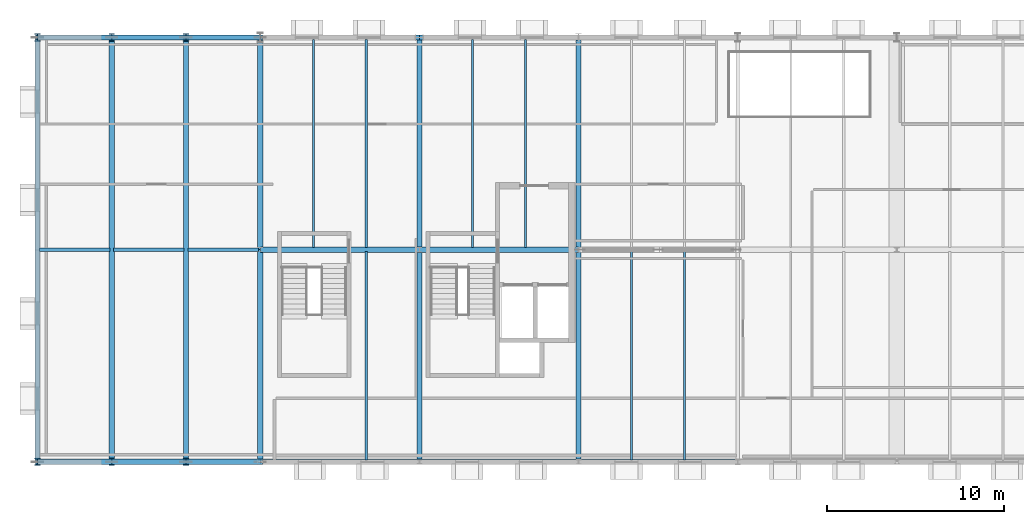
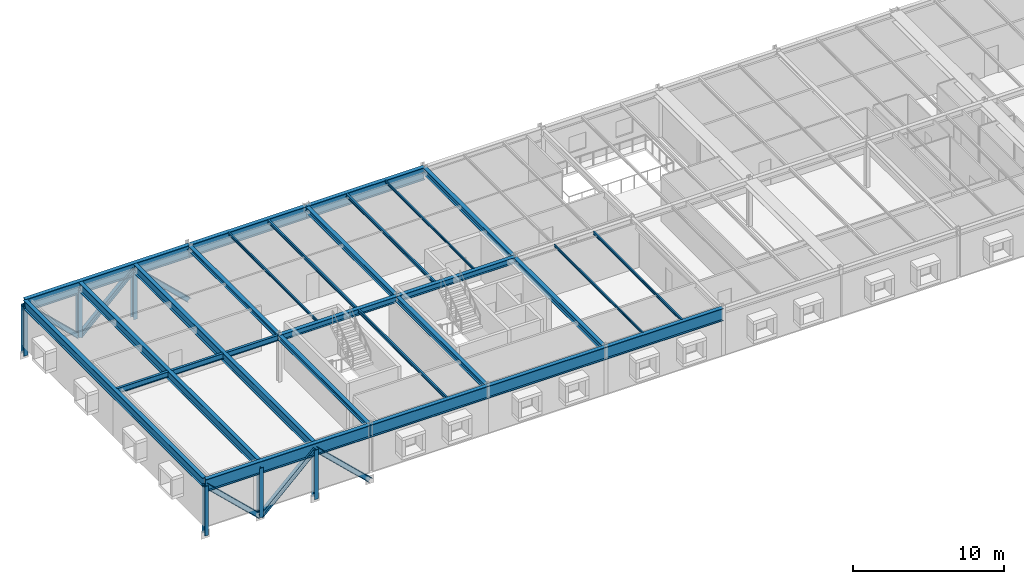
# One storey, part 4 of 17: 28 beams, 12 members.
"""IFC4 building model written with IfcOpenShell, lengths in metres."""

from ifc_helpers import new_model, si_unit, direction, frame, origin, origin_2d, place, context, subcontext, project, spatial, i_section, extrude, material, material_profile, profile_set, type_object, element, save


model = new_model("IFC4")

# Units and contexts
model_context = context("Model", 3, precision=1e-05, world=origin(), true_north=direction((0.0, 1.0)))
body_context = subcontext(model_context, "Body", "Model", "MODEL_VIEW")
ifc_project = project(units=[si_unit("LENGTHUNIT", "METRE"), si_unit("AREAUNIT", "SQUARE_METRE"), si_unit("VOLUMEUNIT", "CUBIC_METRE"), si_unit("PLANEANGLEUNIT", "RADIAN"), si_unit("MASSUNIT", "GRAM", prefix="KILO")], contexts=[model_context])

# Site, building, storey
site_placement = place(None, origin())
site = spatial("IfcSite", under=ifc_project, at=site_placement, CompositionType="ELEMENT")
building_placement = place(site_placement, origin())
building = spatial("IfcBuilding", under=site, at=building_placement, Name="Montelvaro Courts of Justice", CompositionType="ELEMENT")
storey_placement = place(building_placement, frame((0.0, 0.0, 31.39990234375)))
storey = spatial("IfcBuildingStorey", under=building, at=storey_placement, Name="L07", CompositionType="ELEMENT", Elevation=31.39990234375)

# Beams
ifc_material = material(Name="Steel S355", Category="steel")
ifc_material_profile_1 = material_profile(ifc_material, i_section(OverallWidth=0.300048828125, OverallDepth=0.389892578125, WebThickness=0.010986328125, FlangeThickness=0.01904296875, at=origin_2d()), Name="HEA 400")
ifc_profile_set_1 = profile_set([ifc_material_profile_1], Name="Steel S355")
beam_type_1 = type_object("IfcBeamType", Name="Beam_HEA400", PredefinedType="USERDEFINED", material=ifc_profile_set_1)
for number, where, z_axis, x_axis, name in (
    (1, (45.0, 0.0, 3.60498046875), (0.0, 1.0, 0.0), (-1.0, 0.0, 0.0), "Beam B-17 L07"),
    (2, (45.0, 12.0, 3.60498046875), (0.0, 1.0, 0.0), (-1.0, 0.0, 0.0), "Beam B-17 L07"),
):
    element("IfcBeam", number, at=place(storey_placement, frame(where, z_axis=z_axis, x_axis=x_axis)), inside=storey, type_object=beam_type_1, Name=name, ObjectType="GIRDER", PredefinedType="USERDEFINED", context=body_context, shape_type="SweptSolid", body=[
        extrude(i_section(OverallWidth=0.300048828125, OverallDepth=0.389892578125, WebThickness=0.010986328125, FlangeThickness=0.01904296875, at=origin_2d()), origin(), (0.0, 0.0, 1.0), 12.0),
    ])
ifc_material_profile_2 = material_profile(ifc_material, i_section(OverallWidth=0.300048828125, OverallDepth=0.43994140625, WebThickness=0.011474609375, FlangeThickness=0.02099609375, at=origin_2d()), Name="HEA 450")
ifc_profile_set_2 = profile_set([ifc_material_profile_2], Name="Steel S355")
beam_type_2 = type_object("IfcBeamType", Name="Beam_HEA450", PredefinedType="USERDEFINED", material=ifc_profile_set_2)
for number, where, z_axis, x_axis, name in (
    (3, (54.0, 0.0, 3.580078125), (0.0, 1.0, 0.0), (-1.0, 0.0, 0.0), "Beam B-18 L07"),
    (4, (54.0, 12.0, 3.580078125), (0.0, 1.0, 0.0), (-1.0, 0.0, 0.0), "Beam B-18 L07"),
):
    element("IfcBeam", number, at=place(storey_placement, frame(where, z_axis=z_axis, x_axis=x_axis)), inside=storey, type_object=beam_type_2, Name=name, ObjectType="GIRDER", PredefinedType="USERDEFINED", context=body_context, shape_type="SweptSolid", body=[
        extrude(i_section(OverallWidth=0.300048828125, OverallDepth=0.43994140625, WebThickness=0.011474609375, FlangeThickness=0.02099609375, at=origin_2d()), origin(), (0.0, 0.0, 1.0), 12.0),
    ])
ifc_material_profile_3 = material_profile(ifc_material, i_section(OverallWidth=0.300048828125, OverallDepth=0.489990234375, WebThickness=0.011962890625, FlangeThickness=0.02294921875, at=origin_2d()), Name="HEA 500")
ifc_profile_set_3 = profile_set([ifc_material_profile_3], Name="Steel S355")
beam_type_3 = type_object("IfcBeamType", Name="Beam_HEA500", PredefinedType="USERDEFINED", material=ifc_profile_set_3)
for number, where, z_axis, x_axis, name in (
    (5, (45.0, 12.0, 3.55517578125), (1.0, 0.0, 0.0), (0.0, 1.0, 0.0), "Beam B-19 L07"),
    (6, (54.0, 12.0, 3.55517578125), (1.0, 0.0, 0.0), (0.0, 1.0, 0.0), "Beam B-19 L07"),
):
    element("IfcBeam", number, at=place(storey_placement, frame(where, z_axis=z_axis, x_axis=x_axis)), inside=storey, type_object=beam_type_3, Name=name, ObjectType="GIRDER", PredefinedType="USERDEFINED", context=body_context, shape_type="SweptSolid", body=[
        extrude(i_section(OverallWidth=0.300048828125, OverallDepth=0.489990234375, WebThickness=0.011962890625, FlangeThickness=0.02294921875, at=origin_2d()), origin(), (0.0, 0.0, 1.0), 9.0),
    ])
for number, where, z_axis, x_axis, name in (
    (7, (63.0, 0.0, 3.55517578125), (0.0, 1.0, 0.0), (-1.0, 0.0, 0.0), "Beam B-19 L07"),
    (8, (63.0, 12.0, 3.55517578125), (0.0, 1.0, 0.0), (-1.0, 0.0, 0.0), "Beam B-19 L07"),
):
    element("IfcBeam", number, at=place(storey_placement, frame(where, z_axis=z_axis, x_axis=x_axis)), inside=storey, type_object=beam_type_3, Name=name, ObjectType="GIRDER", PredefinedType="USERDEFINED", context=body_context, shape_type="SweptSolid", body=[
        extrude(i_section(OverallWidth=0.300048828125, OverallDepth=0.489990234375, WebThickness=0.011962890625, FlangeThickness=0.02294921875, at=origin_2d()), origin(), (0.0, 0.0, 1.0), 12.0),
    ])
ifc_material_profile_4 = material_profile(ifc_material, i_section(OverallWidth=0.300048828125, OverallDepth=0.699951171875, WebThickness=0.01708984375, FlangeThickness=0.031982421875, at=origin_2d()), Name="HEB 700")
ifc_profile_set_4 = profile_set([ifc_material_profile_4], Name="Steel S355")
beam_type_4 = type_object("IfcBeamType", Name="Beam_HEB700", PredefinedType="USERDEFINED", material=ifc_profile_set_4)
for number, where, z_axis, x_axis, name in (
    (9, (40.800048828125, 0.110107421875, 3.4501953125), (0.0, 1.0, 0.0), (-1.0, 0.0, 0.0), "Beam B-28 L07"),
    (10, (36.60009765625, 0.110107421875, 3.4501953125), (0.0, 1.0, 0.0), (-1.0, 0.0, 0.0), "Beam B-28 L07"),
    (11, (32.39990234375, 0.110107421875, 3.4501953125), (0.0, 1.0, 0.0), (-1.0, 0.0, 0.0), "Beam B-28 L07"),
):
    element("IfcBeam", number, at=place(storey_placement, frame(where, z_axis=z_axis, x_axis=x_axis)), inside=storey, type_object=beam_type_4, Name=name, ObjectType="GIRDER", PredefinedType="USERDEFINED", context=body_context, shape_type="SweptSolid", body=[
        extrude(i_section(OverallWidth=0.300048828125, OverallDepth=0.699951171875, WebThickness=0.01708984375, FlangeThickness=0.031982421875, at=origin_2d()), origin(), (0.0, 0.0, 1.0), 23.77978515625),
    ])
ifc_material_profile_5 = material_profile(ifc_material, i_section(OverallWidth=0.302001953125, OverallDepth=1.008056640625, WebThickness=0.02099609375, FlangeThickness=0.0400390625, at=origin_2d()), Name="HEM 1000")
ifc_profile_set_5 = profile_set([ifc_material_profile_5], Name="Steel S355")
beam_type_5 = type_object("IfcBeamType", Name="Beam_HEM1000", PredefinedType="USERDEFINED", material=ifc_profile_set_5)
for number, where, z_axis, x_axis, name in (
    (12, (72.0, 0.0, 3.296142578125), (-1.0, 0.0, 0.0), (0.0, -1.0, 0.0), "Pratt Cantilever Truss Chord CTR-BAR3-S-L08-BS1"),
    (13, (63.0, 0.0, 3.296142578125), (-1.0, 0.0, 0.0), (0.0, -1.0, 0.0), "Pratt Cantilever Truss Chord CTR-BAR3-S-L08-BS2"),
    (14, (54.0, 0.0, 3.296142578125), (-1.0, 0.0, 0.0), (0.0, -1.0, 0.0), "Pratt Cantilever Truss Chord CTR-BAR3-S-L08-BS3"),
):
    element("IfcBeam", number, at=place(storey_placement, frame(where, z_axis=z_axis, x_axis=x_axis)), inside=storey, type_object=beam_type_5, Name=name, ObjectType="GIRDER", PredefinedType="USERDEFINED", context=body_context, shape_type="SweptSolid", body=[
        extrude(i_section(OverallWidth=0.302001953125, OverallDepth=1.008056640625, WebThickness=0.02099609375, FlangeThickness=0.0400390625, at=origin_2d()), origin(), (0.0, 0.0, 1.0), 9.0),
    ])
beam_1_placement = place(storey_placement, frame((45.0, 0.0, 3.296142578125), z_axis=(-1.0, 0.0, 0.0), x_axis=(0.0, -1.0, 0.0)))
element("IfcBeam", 15, at=beam_1_placement, inside=storey, type_object=beam_type_5, Name="Pratt Cantilever Truss Chord CTR-BAR3-S-L08-OVH", ObjectType="GIRDER", PredefinedType="USERDEFINED", context=body_context, shape_type="SweptSolid", body=[
    extrude(i_section(OverallWidth=0.302001953125, OverallDepth=1.008056640625, WebThickness=0.02099609375, FlangeThickness=0.0400390625, at=origin_2d()), origin(), (0.0, 0.0, 1.0), 12.60009765625),
])
for number, where, z_axis, x_axis, name in (
    (16, (63.0, 24.0, 3.296142578125), (-1.0, 0.0, 0.0), (0.0, -1.0, 0.0), "Pratt Cantilever Truss Chord CTR-BAR3-N-L08-BS2"),
    (17, (54.0, 24.0, 3.296142578125), (-1.0, 0.0, 0.0), (0.0, -1.0, 0.0), "Pratt Cantilever Truss Chord CTR-BAR3-N-L08-BS3"),
):
    element("IfcBeam", number, at=place(storey_placement, frame(where, z_axis=z_axis, x_axis=x_axis)), inside=storey, type_object=beam_type_5, Name=name, ObjectType="GIRDER", PredefinedType="USERDEFINED", context=body_context, shape_type="SweptSolid", body=[
        extrude(i_section(OverallWidth=0.302001953125, OverallDepth=1.008056640625, WebThickness=0.02099609375, FlangeThickness=0.0400390625, at=origin_2d()), origin(), (0.0, 0.0, 1.0), 9.0),
    ])
beam_2_placement = place(storey_placement, frame((45.0, 24.0, 3.296142578125), z_axis=(-1.0, 0.0, 0.0), x_axis=(0.0, -1.0, 0.0)))
element("IfcBeam", 18, at=beam_2_placement, inside=storey, type_object=beam_type_5, Name="Pratt Cantilever Truss Chord CTR-BAR3-N-L08-OVH", ObjectType="GIRDER", PredefinedType="USERDEFINED", context=body_context, shape_type="SweptSolid", body=[
    extrude(i_section(OverallWidth=0.302001953125, OverallDepth=1.008056640625, WebThickness=0.02099609375, FlangeThickness=0.0400390625, at=origin_2d()), origin(), (0.0, 0.0, 1.0), 12.60009765625),
])
ifc_material_profile_6 = material_profile(ifc_material, i_section(OverallWidth=0.10009765625, OverallDepth=0.199951171875, WebThickness=0.005615234375, FlangeThickness=0.008544921875, at=origin_2d()), Name="IPE 200")
ifc_profile_set_6 = profile_set([ifc_material_profile_6], Name="Steel S355")
beam_type_6 = type_object("IfcBeamType", Name="Beam_IPE200", PredefinedType="JOIST", material=ifc_profile_set_6)
for number, where, z_axis, x_axis, name in (
    (19, (60.0, 12.110107421875, 3.7001953125), (0.0, 1.0, 0.0), (-1.0, 0.0, 0.0), "Beam B-01 L07"),
    (20, (66.0, 0.110107421875, 3.7001953125), (0.0, 1.0, 0.0), (-1.0, 0.0, 0.0), "Beam B-01 L07"),
):
    element("IfcBeam", number, at=place(storey_placement, frame(where, z_axis=z_axis, x_axis=x_axis)), inside=storey, type_object=beam_type_6, Name=name, PredefinedType="JOIST", context=body_context, shape_type="SweptSolid", body=[
        extrude(i_section(OverallWidth=0.10009765625, OverallDepth=0.199951171875, WebThickness=0.005615234375, FlangeThickness=0.008544921875, at=origin_2d()), origin(), (0.0, 0.0, 1.0), 11.77978515625),
    ])
ifc_material_profile_7 = material_profile(ifc_material, i_section(OverallWidth=0.110107421875, OverallDepth=0.219970703125, WebThickness=0.005859375, FlangeThickness=0.00927734375, at=origin_2d()), Name="IPE 220")
ifc_profile_set_7 = profile_set([ifc_material_profile_7], Name="Steel S355")
beam_type_7 = type_object("IfcBeamType", Name="Beam_IPE220", PredefinedType="JOIST", material=ifc_profile_set_7)
for number, where, z_axis, x_axis, name in (
    (21, (48.0, 12.110107421875, 3.690185546875), (0.0, 1.0, 0.0), (-1.0, 0.0, 0.0), "Beam B-02 L07"),
    (22, (69.0, 0.110107421875, 3.690185546875), (0.0, 1.0, 0.0), (-1.0, 0.0, 0.0), "Beam B-02 L07"),
):
    element("IfcBeam", number, at=place(storey_placement, frame(where, z_axis=z_axis, x_axis=x_axis)), inside=storey, type_object=beam_type_7, Name=name, PredefinedType="JOIST", context=body_context, shape_type="SweptSolid", body=[
        extrude(i_section(OverallWidth=0.110107421875, OverallDepth=0.219970703125, WebThickness=0.005859375, FlangeThickness=0.00927734375, at=origin_2d()), origin(), (0.0, 0.0, 1.0), 11.77978515625),
    ])
ifc_material_profile_8 = material_profile(ifc_material, i_section(OverallWidth=0.135009765625, OverallDepth=0.27001953125, WebThickness=0.006591796875, FlangeThickness=0.01025390625, at=origin_2d()), Name="IPE 270")
ifc_profile_set_8 = profile_set([ifc_material_profile_8], Name="Steel S355")
beam_type_8 = type_object("IfcBeamType", Name="Beam_IPE270", PredefinedType="JOIST", material=ifc_profile_set_8)
for number, where, z_axis, x_axis, name in (
    (23, (51.0, 0.110107421875, 3.6650390625), (0.0, 1.0, 0.0), (-1.0, 0.0, 0.0), "Beam B-04 L07"),
    (24, (51.0, 12.110107421875, 3.6650390625), (0.0, 1.0, 0.0), (-1.0, 0.0, 0.0), "Beam B-04 L07"),
    (25, (57.0, 12.110107421875, 3.6650390625), (0.0, 1.0, 0.0), (-1.0, 0.0, 0.0), "Beam B-04 L07"),
):
    element("IfcBeam", number, at=place(storey_placement, frame(where, z_axis=z_axis, x_axis=x_axis)), inside=storey, type_object=beam_type_8, Name=name, PredefinedType="JOIST", context=body_context, shape_type="SweptSolid", body=[
        extrude(i_section(OverallWidth=0.135009765625, OverallDepth=0.27001953125, WebThickness=0.006591796875, FlangeThickness=0.01025390625, at=origin_2d()), origin(), (0.0, 0.0, 1.0), 11.77978515625),
    ])
ifc_material_profile_9 = material_profile(ifc_material, i_section(OverallWidth=0.18994140625, OverallDepth=0.449951171875, WebThickness=0.009521484375, FlangeThickness=0.0146484375, at=origin_2d()), Name="IPE 450")
ifc_profile_set_9 = profile_set([ifc_material_profile_9], Name="Steel S355")
beam_type_9 = type_object("IfcBeamType", Name="Beam_IPE450", PredefinedType="BEAM", material=ifc_profile_set_9)
for number, where, z_axis, x_axis, name in (
    (26, (40.909912109375, 12.0, 3.5751953125), (1.0, 0.0, 0.0), (0.0, 1.0, 0.0), "Beam B-09 L07"),
    (27, (36.7099609375, 12.0, 3.5751953125), (1.0, 0.0, 0.0), (0.0, 1.0, 0.0), "Beam B-09 L07"),
    (28, (32.510009765625, 12.0, 3.5751953125), (1.0, 0.0, 0.0), (0.0, 1.0, 0.0), "Beam B-09 L07"),
):
    element("IfcBeam", number, at=place(storey_placement, frame(where, z_axis=z_axis, x_axis=x_axis)), inside=storey, type_object=beam_type_9, Name=name, PredefinedType="BEAM", context=body_context, shape_type="SweptSolid", body=[
        extrude(i_section(OverallWidth=0.18994140625, OverallDepth=0.449951171875, WebThickness=0.009521484375, FlangeThickness=0.0146484375, at=origin_2d()), origin(), (0.0, 0.0, 1.0), 3.97998046875),
    ])

# Members
ifc_material_profile_10 = material_profile(ifc_material, i_section(OverallWidth=0.300048828125, OverallDepth=0.360107421875, WebThickness=0.012451171875, FlangeThickness=0.0224609375, at=origin_2d()), Name="HEB 360")
ifc_profile_set_10 = profile_set([ifc_material_profile_10], Name="Steel S355")
member_type_1 = type_object("IfcMemberType", Name="Mem_HEB360_Brace", PredefinedType="BRACE", material=ifc_profile_set_10)
for number, where, z_axis, x_axis, name in (
    (29, (45.0, 0.0, -0.703857421875), (-0.724133926887, 0.0, 0.689659376744), (0.0, -1.0, 0.0), "Pratt Cantilever Truss Diagonal MB-01 CTR-BAR3-S-L07-D4"),
    (30, (40.800048828125, 0.0, 3.296142578125), (-0.724133926887, 0.0, -0.689659376744), (0.0, -1.0, 0.0), "Pratt Cantilever Truss Diagonal MB-01 CTR-BAR3-S-L07-D5"),
    (31, (36.60009765625, 0.0, -0.703857421875), (-0.72415394689, 0.0, 0.689638355374), (0.0, -1.0, 0.0), "Pratt Cantilever Truss Diagonal MB-01 CTR-BAR3-S-L07-D6"),
    (32, (45.0, 24.0, -0.703857421875), (-0.724133926887, 0.0, 0.689659376744), (0.0, -1.0, 0.0), "Pratt Cantilever Truss Diagonal MB-01 CTR-BAR3-N-L07-D4"),
    (33, (40.800048828125, 24.0, 3.296142578125), (-0.724133926887, 0.0, -0.689659376744), (0.0, -1.0, 0.0), "Pratt Cantilever Truss Diagonal MB-01 CTR-BAR3-N-L07-D5"),
    (34, (36.60009765625, 24.0, -0.703857421875), (-0.72415394689, 0.0, 0.689638355374), (0.0, -1.0, 0.0), "Pratt Cantilever Truss Diagonal MB-01 CTR-BAR3-N-L07-D6"),
):
    element("IfcMember", number, at=place(storey_placement, frame(where, z_axis=z_axis, x_axis=x_axis)), inside=storey, type_object=member_type_1, Name=name, PredefinedType="BRACE", context=body_context, shape_type="SweptSolid", body=[
        extrude(i_section(OverallWidth=0.300048828125, OverallDepth=0.360107421875, WebThickness=0.012451171875, FlangeThickness=0.0224609375, at=origin_2d()), origin(), (0.0, 0.0, 1.0), 5.800048828125),
    ])
ifc_material_profile_11 = material_profile(ifc_material, i_section(OverallWidth=0.300048828125, OverallDepth=0.39990234375, WebThickness=0.013427734375, FlangeThickness=0.02392578125, at=origin_2d()), Name="HEB 400")
ifc_profile_set_11 = profile_set([ifc_material_profile_11], Name="Steel S355")
member_type_2 = type_object("IfcMemberType", Name="Mem_HEB400_Post", PredefinedType="POST", material=ifc_profile_set_11)
for number, where, z_axis, x_axis, name in (
    (35, (40.800048828125, 0.0, -0.703857421875), (0.0, 0.0, 1.0), (1.0, 0.0, 0.0), "Pratt Cantilever Truss Post MP-01 CTR-BAR3-S-L07-1"),
    (36, (36.60009765625, 0.0, -0.703857421875), (0.0, 0.0, 1.0), (1.0, 0.0, 0.0), "Pratt Cantilever Truss Post MP-01 CTR-BAR3-S-L07-2"),
    (37, (32.39990234375, 0.0, -0.703857421875), (0.0, 0.0, 1.0), (1.0, 0.0, 0.0), "Pratt Cantilever Truss Post MP-01 CTR-BAR3-S-L07-3"),
    (38, (40.800048828125, 24.0, -0.703857421875), (0.0, 0.0, 1.0), (1.0, 0.0, 0.0), "Pratt Cantilever Truss Post MP-01 CTR-BAR3-N-L07-1"),
    (39, (36.60009765625, 24.0, -0.703857421875), (0.0, 0.0, 1.0), (1.0, 0.0, 0.0), "Pratt Cantilever Truss Post MP-01 CTR-BAR3-N-L07-2"),
    (40, (32.39990234375, 24.0, -0.703857421875), (0.0, 0.0, 1.0), (1.0, 0.0, 0.0), "Pratt Cantilever Truss Post MP-01 CTR-BAR3-N-L07-3"),
):
    element("IfcMember", number, at=place(storey_placement, frame(where, z_axis=z_axis, x_axis=x_axis)), inside=storey, type_object=member_type_2, Name=name, PredefinedType="POST", context=body_context, shape_type="SweptSolid", body=[
        extrude(i_section(OverallWidth=0.300048828125, OverallDepth=0.39990234375, WebThickness=0.013427734375, FlangeThickness=0.02392578125, at=origin_2d()), origin(), (0.0, 0.0, 1.0), 4.0),
    ])

save(model, "model.ifc")
